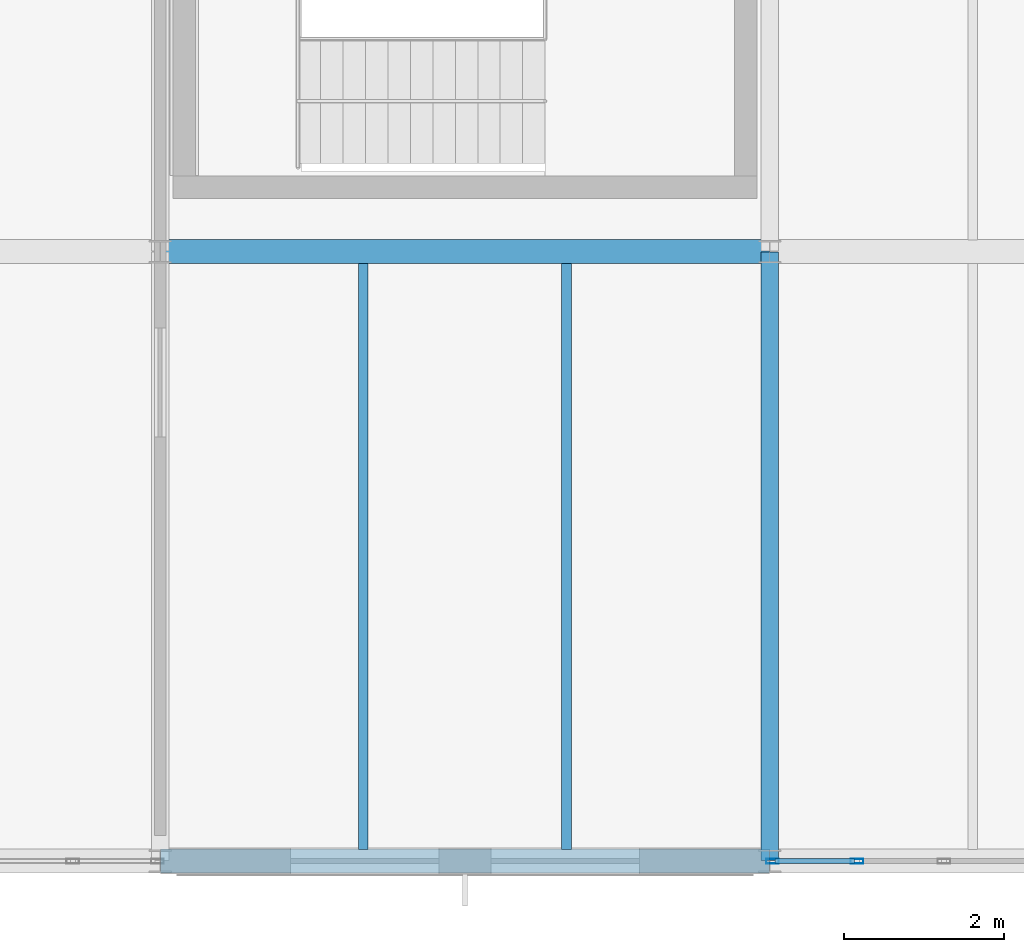
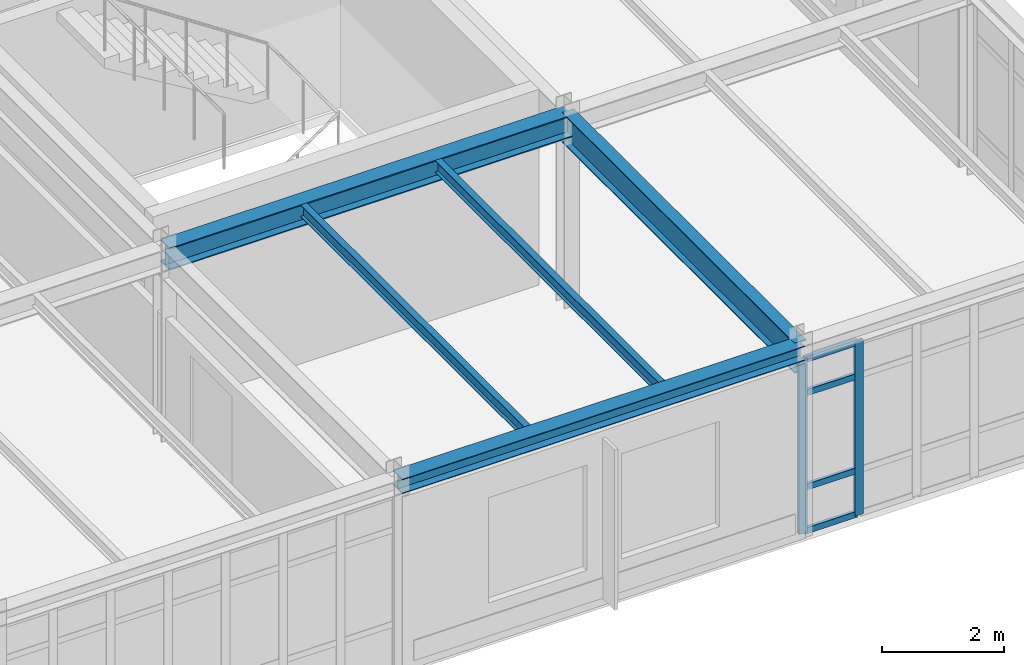
# One storey, part 29 of 165: 6 members, 5 beams, 1 element without a shape of its own.
"""IFC4 building model written with IfcOpenShell, lengths in metres."""

from ifc_helpers import new_model, si_unit, direction, frame, origin, origin_2d, place, context, subcontext, project, spatial, hollow_rectangle, i_section, extrude, material, layer, layer_set, material_profile, profile_set, type_object, element, aggregate, save


model = new_model("IFC4")

# Units and contexts
model_context = context("Model", 3, precision=1e-05, world=origin(), true_north=direction((0.0, 1.0)))
body_context = subcontext(model_context, "Body", "Model", "MODEL_VIEW")
ifc_project = project(units=[si_unit("LENGTHUNIT", "METRE"), si_unit("AREAUNIT", "SQUARE_METRE"), si_unit("VOLUMEUNIT", "CUBIC_METRE"), si_unit("PLANEANGLEUNIT", "RADIAN"), si_unit("MASSUNIT", "GRAM", prefix="KILO")], contexts=[model_context])

# Site, building, storey
site_placement = place(None, origin())
site = spatial("IfcSite", under=ifc_project, at=site_placement, CompositionType="ELEMENT")
building_placement = place(site_placement, origin())
building = spatial("IfcBuilding", under=site, at=building_placement, Name="Montecoro Central Library", CompositionType="ELEMENT")
storey_placement = place(building_placement, frame((0.0, 0.0, 5.10009765625)))
storey = spatial("IfcBuildingStorey", under=building, at=storey_placement, Name="L01", CompositionType="ELEMENT", Elevation=5.10009765625)

# Beams
ifc_material_1 = material(Name="Steel S355J2", Category="steel")
ifc_material_profile_1 = material_profile(ifc_material_1, i_section(OverallWidth=0.300048828125, OverallDepth=0.43994140625, WebThickness=0.011474609375, FlangeThickness=0.02099609375, at=origin_2d()), Name="HEA 450")
ifc_profile_set_1 = profile_set([ifc_material_profile_1], Name="Steel S355J2")
beam_type_1 = type_object("IfcBeamType", Name="BM-G-HEA450", PredefinedType="USERDEFINED", material=ifc_profile_set_1)
beam_1_placement = place(storey_placement, frame((27.804931640625, 12.60009765625, 3.60498046875), z_axis=(1.0, 0.0, 0.0), x_axis=(0.0, 1.0, 0.0)))
element("IfcBeam", 1, at=beam_1_placement, inside=storey, type_object=beam_type_1, Name="V3-L01-BX-45-B", ObjectType="GIRDER", PredefinedType="USERDEFINED", context=body_context, shape_type="SweptSolid", body=[
    extrude(i_section(OverallWidth=0.300048828125, OverallDepth=0.43994140625, WebThickness=0.011474609375, FlangeThickness=0.02099609375, at=origin_2d()), origin(), (0.0, 0.0, 1.0), 7.590087890625),
])
ifc_material_profile_2 = material_profile(ifc_material_1, i_section(OverallWidth=0.219970703125, OverallDepth=0.60009765625, WebThickness=0.011962890625, FlangeThickness=0.01904296875, at=origin_2d()), Name="IPE 600")
ifc_profile_set_2 = profile_set([ifc_material_profile_2], Name="Steel S355J2")
beam_type_2 = type_object("IfcBeamType", Name="BM-G-IPE600", PredefinedType="USERDEFINED", material=ifc_profile_set_2)
beam_2_placement = place(storey_placement, frame((35.39990234375, 5.0048828125, 3.52490234375), z_axis=(0.0, 1.0, 0.0), x_axis=(-1.0, 0.0, 0.0)))
element("IfcBeam", 2, at=beam_2_placement, inside=storey, type_object=beam_type_2, Name="V3-L01-BY-5-AB", ObjectType="GIRDER", PredefinedType="USERDEFINED", context=body_context, shape_type="SweptSolid", body=[
    extrude(i_section(OverallWidth=0.219970703125, OverallDepth=0.60009765625, WebThickness=0.011962890625, FlangeThickness=0.01904296875, at=origin_2d()), origin(), (0.0, 0.0, 1.0), 7.590087890625),
])
ifc_material_2 = material(Name="Steel S355", Category="steel")
ifc_material_profile_3 = material_profile(ifc_material_2, i_section(OverallWidth=0.1201171875, OverallDepth=0.239990234375, WebThickness=0.006103515625, FlangeThickness=0.009765625, at=origin_2d()), Name="IPE 240")
ifc_profile_set_3 = profile_set([ifc_material_profile_3], Name="Steel S355")
beam_type_3 = type_object("IfcBeamType", Name="BM-J-IPE240", PredefinedType="JOIST", material=ifc_profile_set_3)
for number, where, z_axis, x_axis, name in (
    (3, (30.3330078125, 5.14697265625, 3.704833984375), (0.0, 1.0, 0.0), (-1.0, 0.0, 0.0), "V3-L01-JS-45-AB-1"),
    (4, (32.866943359375, 5.14697265625, 3.704833984375), (0.0, 1.0, 0.0), (-1.0, 0.0, 0.0), "V3-L01-JS-45-AB-2"),
):
    element("IfcBeam", number, at=place(storey_placement, frame(where, z_axis=z_axis, x_axis=x_axis)), inside=storey, type_object=beam_type_3, Name=name, PredefinedType="JOIST", context=body_context, shape_type="SweptSolid", body=[
        extrude(i_section(OverallWidth=0.1201171875, OverallDepth=0.239990234375, WebThickness=0.006103515625, FlangeThickness=0.009765625, at=origin_2d()), origin(), (0.0, 0.0, 1.0), 7.305908203125),
    ])
ifc_material_profile_4 = material_profile(ifc_material_2, i_section(OverallWidth=0.300048828125, OverallDepth=0.2900390625, WebThickness=0.008544921875, FlangeThickness=0.013916015625, at=origin_2d()), Name="HEA 300")
ifc_profile_set_4 = profile_set([ifc_material_profile_4], Name="Steel S355")
beam_type_4 = type_object("IfcBeamType", Name="BM-SP-HEA300", PredefinedType="SPANDREL", material=ifc_profile_set_4)
beam_3_placement = place(storey_placement, frame((27.804931640625, 5.0, 3.679931640625), z_axis=(1.0, 0.0, 0.0), x_axis=(0.0, 1.0, 0.0)))
element("IfcBeam", 5, at=beam_3_placement, inside=storey, type_object=beam_type_4, Name="V3-L01-BX-45-A", PredefinedType="SPANDREL", context=body_context, shape_type="SweptSolid", body=[
    extrude(i_section(OverallWidth=0.300048828125, OverallDepth=0.2900390625, WebThickness=0.008544921875, FlangeThickness=0.013916015625, at=origin_2d()), origin(), (0.0, 0.0, 1.0), 7.590087890625),
])

# Curtain wall, members
ifc_material_3 = material(Name="Bronze-anodised aluminium and low-E glazing", Category="aluminium")
ifc_layer = layer(ifc_material_3, 0.159912109375)
ifc_layer_set = layer_set([ifc_layer], Name="Bronze-anodised aluminium and low-E glazing")
curtain_wall_type = type_object("IfcCurtainWallType", Name="CWT-029", PredefinedType="NOTDEFINED", material=ifc_layer_set)
curtain_wall_placement = place(storey_placement, origin())
curtain_wall = element("IfcCurtainWall", 6, at=curtain_wall_placement, inside=storey, type_object=curtain_wall_type, Name="V3-L01-CW-S4", PredefinedType="NOTDEFINED")
ifc_material_4 = material(Name="Bronze-anodised aluminium", Category="aluminium")
ifc_material_profile_5 = material_profile(ifc_material_4, hollow_rectangle(XDim=0.06005859375, YDim=0.159912109375, WallThickness=0.00390625, at=origin_2d()), Name="CWM 160x60x4.0")
ifc_profile_set_5 = profile_set([ifc_material_profile_5], Name="Bronze-anodised aluminium")
member_type_1 = type_object("IfcMemberType", Name="CWM-BRZ-60", PredefinedType="MULLION", material=ifc_profile_set_5)
member_1_placement = place(storey_placement, frame((35.43408203125, 5.0, 0.0), z_axis=(0.0, 0.0, 1.0), x_axis=(0.0, 1.0, 0.0)))
member_1 = element("IfcMember", 7, at=member_1_placement, type_object=member_type_1, Name="CW-029 mullion 1", PredefinedType="MULLION", context=body_context, shape_type="SweptSolid", body=[
    extrude(hollow_rectangle(XDim=0.06005859375, YDim=0.159912109375, WallThickness=0.00390625, at=origin_2d()), origin(), (0.0, 0.0, 1.0), 3.47998046875),
])
member_2_placement = place(storey_placement, frame((36.488525390625, 5.0, 0.0), z_axis=(0.0, 0.0, 1.0), x_axis=(0.0, 1.0, 0.0)))
member_2 = element("IfcMember", 8, at=member_2_placement, type_object=member_type_1, Name="CW-029 mullion 2", PredefinedType="MULLION", context=body_context, shape_type="SweptSolid", body=[
    extrude(hollow_rectangle(XDim=0.06005859375, YDim=0.159912109375, WallThickness=0.00390625, at=origin_2d()), origin(), (0.0, 0.0, 1.0), 3.47998046875),
])
ifc_material_profile_6 = material_profile(ifc_material_4, hollow_rectangle(XDim=0.06005859375, YDim=0.1201171875, WallThickness=0.00390625, at=origin_2d()), Name="CWT 120x60x4.0")
ifc_profile_set_6 = profile_set([ifc_material_profile_6], Name="Bronze-anodised aluminium")
member_type_2 = type_object("IfcMemberType", Name="CWT-BRZ-60", PredefinedType="USERDEFINED", material=ifc_profile_set_6)
member_3_placement = place(storey_placement, frame((35.464111328125, 5.0, 0.02978515625), z_axis=(1.0, 0.0, 0.0), x_axis=(0.0, 1.0, 0.0)))
member_3 = element("IfcMember", 9, at=member_3_placement, type_object=member_type_2, Name="CW-029 transom 1.1", ObjectType="TRANSOM", PredefinedType="USERDEFINED", context=body_context, shape_type="SweptSolid", body=[
    extrude(hollow_rectangle(XDim=0.06005859375, YDim=0.1201171875, WallThickness=0.00390625, at=origin_2d()), origin(), (0.0, 0.0, 1.0), 0.994384765625),
])
member_4_placement = place(storey_placement, frame((35.464111328125, 5.0, 0.89990234375), z_axis=(1.0, 0.0, 0.0), x_axis=(0.0, 1.0, 0.0)))
member_4 = element("IfcMember", 10, at=member_4_placement, type_object=member_type_2, Name="CW-029 transom 1.2", ObjectType="TRANSOM", PredefinedType="USERDEFINED", context=body_context, shape_type="SweptSolid", body=[
    extrude(hollow_rectangle(XDim=0.06005859375, YDim=0.1201171875, WallThickness=0.00390625, at=origin_2d()), origin(), (0.0, 0.0, 1.0), 0.994384765625),
])
member_5_placement = place(storey_placement, frame((35.464111328125, 5.0, 2.77978515625), z_axis=(1.0, 0.0, 0.0), x_axis=(0.0, 1.0, 0.0)))
member_5 = element("IfcMember", 11, at=member_5_placement, type_object=member_type_2, Name="CW-029 transom 1.3", ObjectType="TRANSOM", PredefinedType="USERDEFINED", context=body_context, shape_type="SweptSolid", body=[
    extrude(hollow_rectangle(XDim=0.06005859375, YDim=0.1201171875, WallThickness=0.00390625, at=origin_2d()), origin(), (0.0, 0.0, 1.0), 0.994384765625),
])
member_6_placement = place(storey_placement, frame((35.464111328125, 5.0, 3.449951171875), z_axis=(1.0, 0.0, 0.0), x_axis=(0.0, 1.0, 0.0)))
member_6 = element("IfcMember", 12, at=member_6_placement, type_object=member_type_2, Name="CW-029 transom 1.4", ObjectType="TRANSOM", PredefinedType="USERDEFINED", context=body_context, shape_type="SweptSolid", body=[
    extrude(hollow_rectangle(XDim=0.06005859375, YDim=0.1201171875, WallThickness=0.00390625, at=origin_2d()), origin(), (0.0, 0.0, 1.0), 0.994384765625),
])
aggregate(curtain_wall, [member_1, member_2, member_3, member_4, member_5, member_6])

save(model, "model.ifc")
